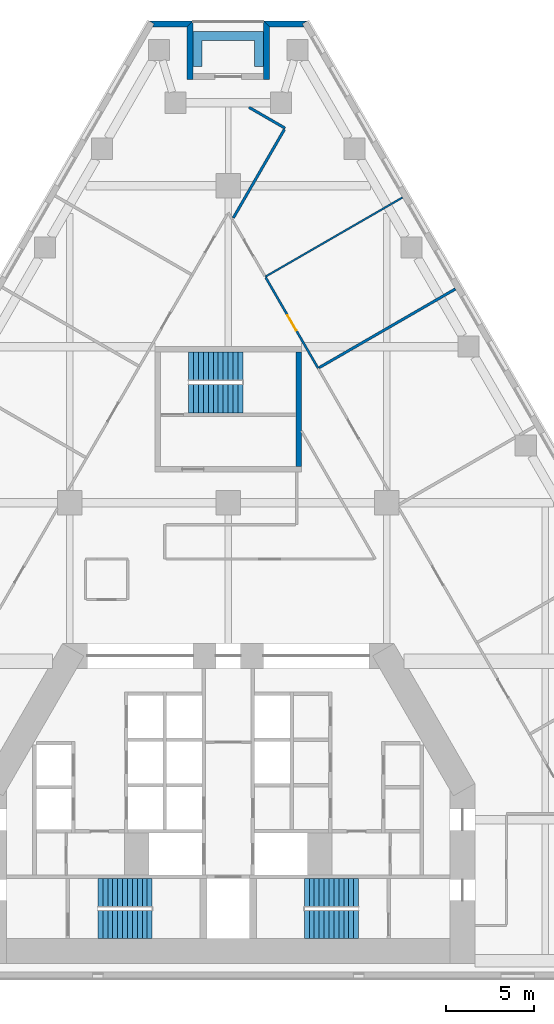
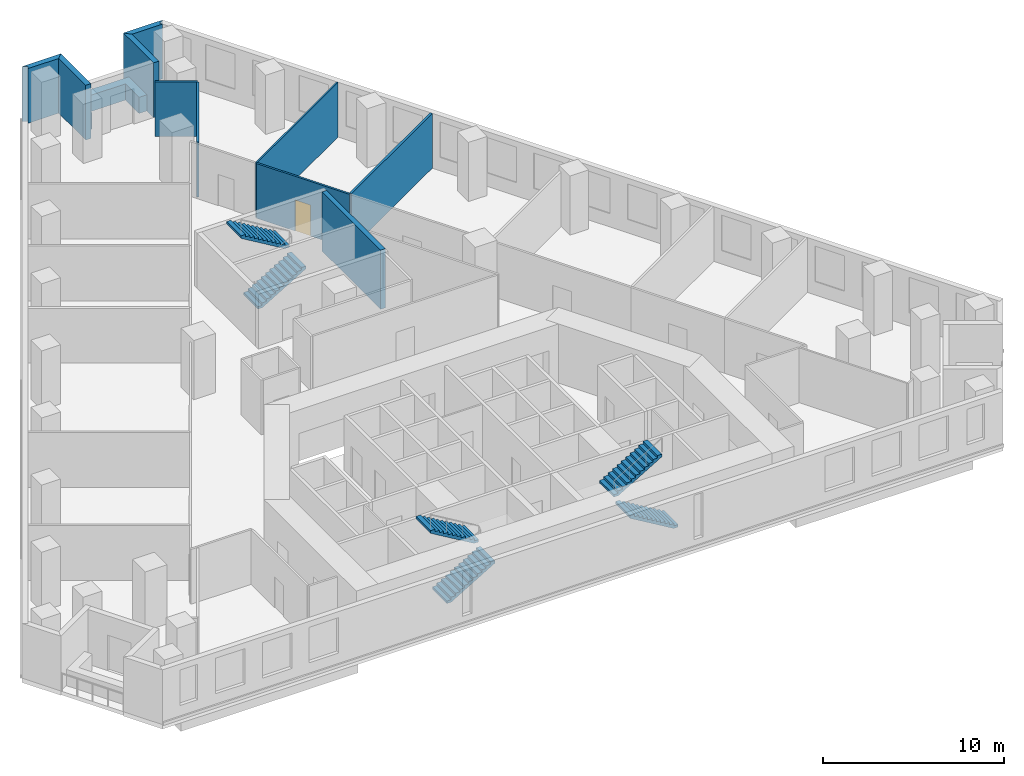
# One storey, part 8 of 9: 11 walls, 6 stair flights, 1 door, 1 opening, 3 elements without a shape of their own.
"""IFC4 building model written with IfcOpenShell, lengths in metres."""

from ifc_helpers import new_model, si_unit, direction, frame, frame_2d, origin, place, context, subcontext, project, spatial, polyline, rectangle, outline, extrude, material, layer, layer_set, type_object, element, fill, aggregate, save


model = new_model("IFC4")

# Units and contexts
model_context = context("Model", 3, precision=1e-05, world=origin(), true_north=direction((0.0, 1.0)))
body_context = subcontext(model_context, "Body", "Model", "MODEL_VIEW")
ifc_project = project(units=[si_unit("LENGTHUNIT", "METRE"), si_unit("AREAUNIT", "SQUARE_METRE"), si_unit("VOLUMEUNIT", "CUBIC_METRE"), si_unit("PLANEANGLEUNIT", "RADIAN"), si_unit("MASSUNIT", "GRAM", prefix="KILO")], contexts=[model_context])

# Site, building, storey
site_placement = place(None, origin())
site = spatial("IfcSite", under=ifc_project, at=site_placement, CompositionType="ELEMENT")
building_placement = place(site_placement, origin())
building = spatial("IfcBuilding", under=site, at=building_placement, Name="Fogline Exchange Tower", CompositionType="ELEMENT")
storey_placement = place(building_placement, frame((0.0, 0.0, 64.89990234375)))
storey = spatial("IfcBuildingStorey", under=building, at=storey_placement, Name="L13", CompositionType="ELEMENT", Elevation=64.89990234375)

# Walls
ifc_material_1 = material(Name="Concrete C40", Category="concrete")
ifc_layer_1 = layer(ifc_material_1, 0.300048828125)
ifc_layer_set_1 = layer_set([ifc_layer_1], Name="CW30")
wall_type_1 = type_object("IfcWallType", Name="CW30", PredefinedType="SOLIDWALL", material=ifc_layer_set_1)
wall_1_placement = place(storey_placement, frame((4.0, 29.056884765625, -0.2998046875), z_axis=(0.0, 0.0, 1.0), x_axis=(0.0, 1.0, 0.0)))
element("IfcWall", 1, at=wall_1_placement, inside=storey, type_object=wall_type_1, Name="Stair enclosure wall ST3", PredefinedType="SOLIDWALL", context=body_context, shape_type="SweptSolid", body=[
    extrude(rectangle(XDim=6.5, YDim=0.300048828125, at=frame_2d((3.25, 0.0))), origin(), (0.0, 0.0, 1.0), 4.0),
])
ifc_material_2 = material(Name="Brick masonry", Category="masonry")
ifc_layer_2 = layer(ifc_material_2, 0.340087890625)
ifc_layer_set_2 = layer_set([ifc_layer_2], Name="FW1")
wall_type_2 = type_object("IfcWallType", Name="FW1", PredefinedType="SOLIDWALL", material=ifc_layer_set_2)
wall_2_placement = place(storey_placement, origin())
element("IfcWall", 2, at=wall_2_placement, inside=storey, type_object=wall_type_2, Name="Brick wall L13 N-c1", PredefinedType="SOLIDWALL", context=body_context, shape_type="SweptSolid", body=[
    extrude(outline(polyline([(1.9990234375, 54.357177734375), (4.5009765625, 54.357177734375), (4.501220703125, 54.356689453125), (4.206298828125, 54.1865234375), (4.3046875, 54.01611328125), (2.33984375, 54.01611328125), (1.998779296875, 54.35693359375), (1.9990234375, 54.357177734375)])), origin(), (0.0, 0.0, 1.0), 3.7001953125),
])
wall_3_placement = place(storey_placement, origin())
element("IfcWall", 3, at=wall_3_placement, inside=storey, type_object=wall_type_2, Name="Brick wall L13 N-s1", PredefinedType="SOLIDWALL", context=body_context, shape_type="SweptSolid", body=[
    extrude(outline(polyline([(2.340576171875, 51.01611328125), (1.99951171875, 51.01611328125), (1.99951171875, 54.357666015625), (1.999755859375, 54.35791015625), (2.340576171875, 54.016845703125), (2.340576171875, 51.01611328125)])), origin(), (0.0, 0.0, 1.0), 3.7001953125),
])
wall_4_placement = place(storey_placement, origin())
element("IfcWall", 4, at=wall_4_placement, inside=storey, type_object=wall_type_2, Name="Brick wall L13 N-s2", PredefinedType="SOLIDWALL", context=body_context, shape_type="SweptSolid", body=[
    extrude(outline(polyline([(-1.99951171875, 54.357666015625), (-1.99951171875, 51.01611328125), (-2.340576171875, 51.01611328125), (-2.340576171875, 54.016845703125), (-1.999755859375, 54.35791015625), (-1.99951171875, 54.357666015625)])), origin(), (0.0, 0.0, 1.0), 3.7001953125),
])
wall_5_placement = place(storey_placement, origin())
element("IfcWall", 5, at=wall_5_placement, inside=storey, type_object=wall_type_2, Name="Brick wall L13 N-c2", PredefinedType="SOLIDWALL", context=body_context, shape_type="SweptSolid", body=[
    extrude(outline(polyline([(-4.3046875, 54.01611328125), (-4.206298828125, 54.1865234375), (-4.501220703125, 54.356689453125), (-4.5009765625, 54.357177734375), (-1.9990234375, 54.357177734375), (-1.998779296875, 54.35693359375), (-2.33984375, 54.01611328125), (-4.3046875, 54.01611328125)])), origin(), (0.0, 0.0, 1.0), 3.7001953125),
])
ifc_material_3 = material(Name="Concrete C30", Category="concrete")
ifc_layer_3 = layer(ifc_material_3, 0.199951171875)
ifc_layer_set_3 = layer_set([ifc_layer_3], Name="PL1")
wall_type_3 = type_object("IfcWallType", Name="PL1", PredefinedType="USERDEFINED", material=ifc_layer_set_3)
wall_6_placement = place(storey_placement, origin())
element("IfcWall", 6, at=wall_6_placement, inside=storey, type_object=wall_type_3, Name="PLANTER balcony L13 N", ObjectType="PLANTER", PredefinedType="USERDEFINED", context=body_context, shape_type="SweptSolid", body=[
    extrude(outline(polyline([(-1.5, 53.756591796875), (-2.0, 53.756591796875), (-2.0, 53.256591796875), (-2.0, 51.756591796875), (-1.5, 51.756591796875), (-1.5, 53.256591796875), (1.5, 53.256591796875), (1.5, 51.756591796875), (2.0, 51.756591796875), (2.0, 53.256591796875), (2.0, 53.756591796875), (1.5, 53.756591796875), (-1.5, 53.756591796875)])), origin(), (0.0, 0.0, 1.0), 1.10009765625),
])
ifc_material_4 = material(Name="Plasterboard partition, 2 layers each side on steel studs", Category="steel")
ifc_layer_4 = layer(ifc_material_4, 0.10009765625)
ifc_layer_set_4 = layer_set([ifc_layer_4], Name="PW1")
wall_type_4 = type_object("IfcWallType", Name="PW1", PredefinedType="PARTITIONING", material=ifc_layer_set_4)
wall_7_placement = place(storey_placement, frame((2.102294921875, 39.829833984375, 0.0), z_axis=(0.0, 0.0, 1.0), x_axis=(0.866024315419, 0.5000018851, 0.0)))
element("IfcWall", 7, at=wall_7_placement, inside=storey, type_object=wall_type_4, Name="wall-L13-W037", PredefinedType="PARTITIONING", context=body_context, shape_type="SweptSolid", body=[
    extrude(rectangle(XDim=9.0, YDim=0.10009765625, at=frame_2d((4.5, 0.0))), origin(), (0.0, 0.0, 1.0), 3.7001953125),
])

# Wall, opening, door
ifc_material_5 = material(Name="Plasterboard corridor partition with mineral wool, 2 layers each side")
ifc_layer_5 = layer(ifc_material_5, 0.125)
ifc_layer_set_5 = layer_set([ifc_layer_5], Name="PW2")
wall_type_5 = type_object("IfcWallType", Name="PW2", PredefinedType="PARTITIONING", material=ifc_layer_set_5)
wall_8_placement = place(storey_placement, frame((2.12744140625, 39.7861328125, 0.0), z_axis=(0.0, 0.0, 1.0), x_axis=(0.500000694566, -0.866025002776, 0.0)))
wall_8 = element("IfcWall", 8, at=wall_8_placement, inside=storey, type_object=wall_type_5, Name="wall-L13-W012", PredefinedType="PARTITIONING", context=body_context, shape_type="SweptSolid", body=[
    extrude(rectangle(XDim=5.94970703125, YDim=0.125, at=frame_2d((2.974853515625, 0.0))), origin(), (0.0, 0.0, 1.0), 3.7001953125),
])
opening_placement = place(wall_8_placement, frame((2.474853515625, 0.0, 0.0)))
opening = element("IfcOpeningElement", 9, at=opening_placement, cuts=wall_8, Name="Opening T04-D007", PredefinedType="OPENING", context=body_context, shape_type="SweptSolid", body=[
    extrude(rectangle(XDim=1.0, YDim=2.10009765625, at=frame_2d((0.5, 1.050048828125))), frame((0.0, 0.072509765625, 0.0), z_axis=(0.0, -1.0, 0.0), x_axis=(1.0, 0.0, 0.0)), (0.0, 0.0, 1.0), 0.14501953125),
])
ifc_material_6 = material(Name="Fire-rated timber door leaf with steel frame", Category="steel")
door_type = type_object("IfcDoorType", Name="D3", OperationType="SINGLE_SWING_LEFT", PredefinedType="DOOR", material=ifc_material_6)
door_placement = place(opening_placement, origin())
door = element("IfcDoor", 10, at=door_placement, inside=storey, type_object=door_type, Name="door-L13-D007", OperationType="SINGLE_SWING_LEFT", OverallHeight=2.10009765625, OverallWidth=1.0, PredefinedType="DOOR", context=body_context, shape_type="SweptSolid", body=[
    extrude(rectangle(XDim=1.0, YDim=2.10009765625, at=frame_2d((0.5, 1.050048828125))), frame((0.0, 0.02490234375, 0.0), z_axis=(0.0, -1.0, 0.0), x_axis=(1.0, 0.0, 0.0)), (0.0, 0.0, 1.0), 0.050048828125),
])
fill(opening, door)

# Walls
ifc_material_7 = material(Name="Plasterboard demising partition with mineral wool and acoustic board")
ifc_layer_6 = layer(ifc_material_7, 0.14990234375)
ifc_layer_set_6 = layer_set([ifc_layer_6], Name="PW3")
wall_type_6 = type_object("IfcWallType", Name="PW3", PredefinedType="PARTITIONING", material=ifc_layer_set_6)
wall_9_placement = place(storey_placement, frame((5.15625, 34.664794921875, 0.0), z_axis=(0.0, 0.0, 1.0), x_axis=(0.866029105215, 0.49999358888, 0.0)))
element("IfcWall", 11, at=wall_9_placement, inside=storey, type_object=wall_type_6, Name="wall-L13-W036", PredefinedType="PARTITIONING", context=body_context, shape_type="SweptSolid", body=[
    extrude(rectangle(XDim=8.9375, YDim=0.14990234375, at=frame_2d((4.46875, 0.0))), origin(), (0.0, 0.0, 1.0), 3.7001953125),
])
wall_10_placement = place(storey_placement, frame((0.288818359375, 43.17138671875, 0.0), z_axis=(0.0, 0.0, 1.0), x_axis=(0.500006411147, 0.866021702275, 0.0)))
element("IfcWall", 12, at=wall_10_placement, inside=storey, type_object=wall_type_6, Name="wall-L13-W038", PredefinedType="PARTITIONING", context=body_context, shape_type="SweptSolid", body=[
    extrude(rectangle(XDim=5.80517578125, YDim=0.14990234375, at=frame_2d((2.902587890625, 0.0))), origin(), (0.0, 0.0, 1.0), 3.7001953125),
])
wall_11_placement = place(storey_placement, frame((3.22900390625, 48.263671875, 0.0), z_axis=(0.0, 0.0, 1.0), x_axis=(-0.865991875323, 0.500058068503, 0.0)))
element("IfcWall", 13, at=wall_11_placement, inside=storey, type_object=wall_type_6, Name="wall-L13-W039", PredefinedType="PARTITIONING", context=body_context, shape_type="SweptSolid", body=[
    extrude(rectangle(XDim=2.371826171875, YDim=0.14990234375, at=frame_2d((1.18603515625, 0.0))), origin(), (0.0, 0.0, 1.0), 3.7001953125),
])

# Stair, stair flights
stair_type = type_object("IfcStairType", Name="STR24-1667", PredefinedType="HALF_TURN_STAIR", material=ifc_material_1)
stair_1_placement = place(storey_placement, origin())
stair_1 = element("IfcStair", 14, at=stair_1_placement, inside=storey, type_object=stair_type, Name="Stair ST1", PredefinedType="HALF_TURN_STAIR")
stair_flight_type = type_object("IfcStairFlightType", Name="SF12-1667", PredefinedType="STRAIGHT", material=ifc_material_1)
stair_flight_1_placement = place(storey_placement, frame((-7.39990234375, 3.050048828125, 0.0), z_axis=(0.0, 0.0, 1.0), x_axis=(1.0, 0.0, 0.0)))
stair_flight_1 = element("IfcStairFlight", 15, at=stair_flight_1_placement, type_object=stair_flight_type, Name="ST1 flight 1", NumberOfRisers=12, NumberOfTreads=11, PredefinedType="STRAIGHT", RiserHeight=0.166666667, TreadLength=0.28, context=body_context, shape_type="SweptSolid", body=[
    extrude(outline(polyline([(0.0, 0.0), (0.0, 0.166748046875), (0.280029296875, 0.166748046875), (0.280029296875, 0.333251953125), (0.56005859375, 0.333251953125), (0.56005859375, 0.5), (0.840087890625, 0.5), (0.840087890625, 0.666748046875), (1.1201171875, 0.666748046875), (1.1201171875, 0.833251953125), (1.39990234375, 0.833251953125), (1.39990234375, 1.0), (1.679931640625, 1.0), (1.679931640625, 1.166748046875), (1.9599609375, 1.166748046875), (1.9599609375, 1.333251953125), (2.239990234375, 1.333251953125), (2.239990234375, 1.5), (2.52001953125, 1.5), (2.52001953125, 1.666748046875), (2.800048828125, 1.666748046875), (2.800048828125, 1.833251953125), (3.080078125, 1.833251953125), (3.080078125, 2.0), (3.080078125, 1.658935546875), (0.29296875, 0.0), (0.0, 0.0)])), frame((0.0, 0.800048828125, 0.0), z_axis=(0.0, -1.0, 0.0), x_axis=(1.0, 0.0, 0.0)), (0.0, 0.0, 1.0), 1.60009765625),
])
stair_flight_2_placement = place(storey_placement, frame((-4.320068359375, 4.85009765625, 2.0), z_axis=(0.0, 0.0, 1.0), x_axis=(-1.0, 0.0, 0.0)))
stair_flight_2 = element("IfcStairFlight", 16, at=stair_flight_2_placement, type_object=stair_flight_type, Name="ST1 flight 2", NumberOfRisers=12, NumberOfTreads=11, PredefinedType="STRAIGHT", RiserHeight=0.166666667, TreadLength=0.28, context=body_context, shape_type="SweptSolid", body=[
    extrude(outline(polyline([(0.0, 0.0), (0.0, 0.166748046875), (0.280029296875, 0.166748046875), (0.280029296875, 0.333251953125), (0.56005859375, 0.333251953125), (0.56005859375, 0.5), (0.840087890625, 0.5), (0.840087890625, 0.666748046875), (1.1201171875, 0.666748046875), (1.1201171875, 0.833251953125), (1.39990234375, 0.833251953125), (1.39990234375, 1.0), (1.679931640625, 1.0), (1.679931640625, 1.166748046875), (1.9599609375, 1.166748046875), (1.9599609375, 1.333251953125), (2.239990234375, 1.333251953125), (2.239990234375, 1.5), (2.52001953125, 1.5), (2.52001953125, 1.666748046875), (2.800048828125, 1.666748046875), (2.800048828125, 1.833251953125), (3.080078125, 1.833251953125), (3.080078125, 2.0), (3.080078125, 1.658935546875), (0.29296875, 0.0), (0.0, 0.0)])), frame((0.0, 0.800048828125, 0.0), z_axis=(0.0, -1.0, 0.0), x_axis=(1.0, 0.0, 0.0)), (0.0, 0.0, 1.0), 1.60009765625),
])
aggregate(stair_1, [stair_flight_1, stair_flight_2])

stair_2_placement = place(storey_placement, origin())
stair_2 = element("IfcStair", 17, at=stair_2_placement, inside=storey, type_object=stair_type, Name="Stair ST2", PredefinedType="HALF_TURN_STAIR")
stair_flight_3_placement = place(storey_placement, frame((7.39990234375, 3.050048828125, 0.0), z_axis=(0.0, 0.0, 1.0), x_axis=(-1.0, 0.0, 0.0)))
stair_flight_3 = element("IfcStairFlight", 18, at=stair_flight_3_placement, type_object=stair_flight_type, Name="ST2 flight 1", NumberOfRisers=12, NumberOfTreads=11, PredefinedType="STRAIGHT", RiserHeight=0.166666667, TreadLength=0.28, context=body_context, shape_type="SweptSolid", body=[
    extrude(outline(polyline([(0.0, 0.0), (0.0, 0.166748046875), (0.280029296875, 0.166748046875), (0.280029296875, 0.333251953125), (0.56005859375, 0.333251953125), (0.56005859375, 0.5), (0.840087890625, 0.5), (0.840087890625, 0.666748046875), (1.1201171875, 0.666748046875), (1.1201171875, 0.833251953125), (1.39990234375, 0.833251953125), (1.39990234375, 1.0), (1.679931640625, 1.0), (1.679931640625, 1.166748046875), (1.9599609375, 1.166748046875), (1.9599609375, 1.333251953125), (2.239990234375, 1.333251953125), (2.239990234375, 1.5), (2.52001953125, 1.5), (2.52001953125, 1.666748046875), (2.800048828125, 1.666748046875), (2.800048828125, 1.833251953125), (3.080078125, 1.833251953125), (3.080078125, 2.0), (3.080078125, 1.658935546875), (0.29296875, 0.0), (0.0, 0.0)])), frame((0.0, 0.800048828125, 0.0), z_axis=(0.0, -1.0, 0.0), x_axis=(1.0, 0.0, 0.0)), (0.0, 0.0, 1.0), 1.60009765625),
])
stair_flight_4_placement = place(storey_placement, frame((4.320068359375, 4.85009765625, 2.0), z_axis=(0.0, 0.0, 1.0), x_axis=(1.0, 0.0, 0.0)))
stair_flight_4 = element("IfcStairFlight", 19, at=stair_flight_4_placement, type_object=stair_flight_type, Name="ST2 flight 2", NumberOfRisers=12, NumberOfTreads=11, PredefinedType="STRAIGHT", RiserHeight=0.166666667, TreadLength=0.28, context=body_context, shape_type="SweptSolid", body=[
    extrude(outline(polyline([(0.0, 0.0), (0.0, 0.166748046875), (0.280029296875, 0.166748046875), (0.280029296875, 0.333251953125), (0.56005859375, 0.333251953125), (0.56005859375, 0.5), (0.840087890625, 0.5), (0.840087890625, 0.666748046875), (1.1201171875, 0.666748046875), (1.1201171875, 0.833251953125), (1.39990234375, 0.833251953125), (1.39990234375, 1.0), (1.679931640625, 1.0), (1.679931640625, 1.166748046875), (1.9599609375, 1.166748046875), (1.9599609375, 1.333251953125), (2.239990234375, 1.333251953125), (2.239990234375, 1.5), (2.52001953125, 1.5), (2.52001953125, 1.666748046875), (2.800048828125, 1.666748046875), (2.800048828125, 1.833251953125), (3.080078125, 1.833251953125), (3.080078125, 2.0), (3.080078125, 1.658935546875), (0.29296875, 0.0), (0.0, 0.0)])), frame((0.0, 0.800048828125, 0.0), z_axis=(0.0, -1.0, 0.0), x_axis=(1.0, 0.0, 0.0)), (0.0, 0.0, 1.0), 1.60009765625),
])
aggregate(stair_2, [stair_flight_3, stair_flight_4])

stair_3_placement = place(storey_placement, origin())
stair_3 = element("IfcStair", 20, at=stair_3_placement, inside=storey, type_object=stair_type, Name="Stair ST3", PredefinedType="HALF_TURN_STAIR")
stair_flight_5_placement = place(storey_placement, frame((-2.25, 32.906982421875, 0.0), z_axis=(0.0, 0.0, 1.0), x_axis=(1.0, 0.0, 0.0)))
stair_flight_5 = element("IfcStairFlight", 21, at=stair_flight_5_placement, type_object=stair_flight_type, Name="ST3 flight 1", NumberOfRisers=12, NumberOfTreads=11, PredefinedType="STRAIGHT", RiserHeight=0.166666667, TreadLength=0.28, context=body_context, shape_type="SweptSolid", body=[
    extrude(outline(polyline([(0.0, 0.0), (0.0, 0.166748046875), (0.280029296875, 0.166748046875), (0.280029296875, 0.333251953125), (0.56005859375, 0.333251953125), (0.56005859375, 0.5), (0.840087890625, 0.5), (0.840087890625, 0.666748046875), (1.1201171875, 0.666748046875), (1.1201171875, 0.833251953125), (1.39990234375, 0.833251953125), (1.39990234375, 1.0), (1.679931640625, 1.0), (1.679931640625, 1.166748046875), (1.9599609375, 1.166748046875), (1.9599609375, 1.333251953125), (2.239990234375, 1.333251953125), (2.239990234375, 1.5), (2.52001953125, 1.5), (2.52001953125, 1.666748046875), (2.800048828125, 1.666748046875), (2.800048828125, 1.833251953125), (3.080078125, 1.833251953125), (3.080078125, 2.0), (3.080078125, 1.658935546875), (0.29296875, 0.0), (0.0, 0.0)])), frame((0.0, 0.800048828125, 0.0), z_axis=(0.0, -1.0, 0.0), x_axis=(1.0, 0.0, 0.0)), (0.0, 0.0, 1.0), 1.60009765625),
])
stair_flight_6_placement = place(storey_placement, frame((0.830078125, 34.757080078125, 2.0), z_axis=(0.0, 0.0, 1.0), x_axis=(-1.0, 0.0, 0.0)))
stair_flight_6 = element("IfcStairFlight", 22, at=stair_flight_6_placement, type_object=stair_flight_type, Name="ST3 flight 2", NumberOfRisers=12, NumberOfTreads=11, PredefinedType="STRAIGHT", RiserHeight=0.166666667, TreadLength=0.28, context=body_context, shape_type="SweptSolid", body=[
    extrude(outline(polyline([(0.0, 0.0), (0.0, 0.166748046875), (0.280029296875, 0.166748046875), (0.280029296875, 0.333251953125), (0.56005859375, 0.333251953125), (0.56005859375, 0.5), (0.840087890625, 0.5), (0.840087890625, 0.666748046875), (1.1201171875, 0.666748046875), (1.1201171875, 0.833251953125), (1.39990234375, 0.833251953125), (1.39990234375, 1.0), (1.679931640625, 1.0), (1.679931640625, 1.166748046875), (1.9599609375, 1.166748046875), (1.9599609375, 1.333251953125), (2.239990234375, 1.333251953125), (2.239990234375, 1.5), (2.52001953125, 1.5), (2.52001953125, 1.666748046875), (2.800048828125, 1.666748046875), (2.800048828125, 1.833251953125), (3.080078125, 1.833251953125), (3.080078125, 2.0), (3.080078125, 1.658935546875), (0.29296875, 0.0), (0.0, 0.0)])), frame((0.0, 0.800048828125, 0.0), z_axis=(0.0, -1.0, 0.0), x_axis=(1.0, 0.0, 0.0)), (0.0, 0.0, 1.0), 1.60009765625),
])
aggregate(stair_3, [stair_flight_5, stair_flight_6])

save(model, "model.ifc")
